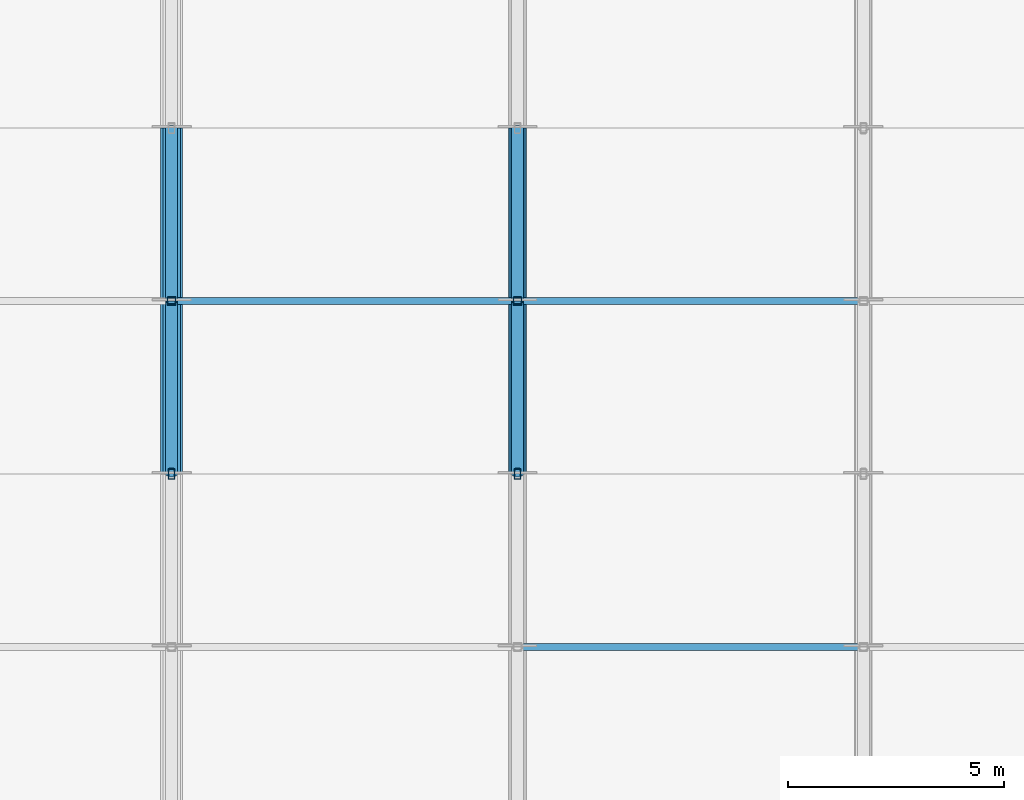
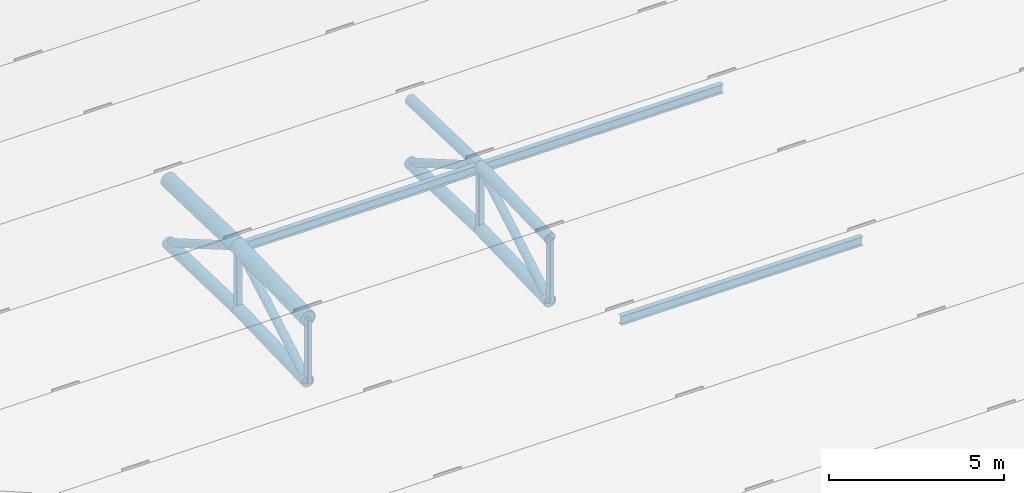
# One storey, part 14 of 98: 19 members.
"""IFC4 building model written with IfcOpenShell, lengths in metres."""

from ifc_helpers import new_model, si_unit, direction, frame, origin, origin_2d, place, context, subcontext, project, spatial, hollow_rectangle, hollow_circle, i_section, extrude, material, material_profile, profile_set, type_object, element, save


model = new_model("IFC4")

# Units and contexts
model_context = context("Model", 3, precision=1e-05, world=origin(), true_north=direction((0.0, 1.0)))
body_context = subcontext(model_context, "Body", "Model", "MODEL_VIEW")
ifc_project = project(units=[si_unit("LENGTHUNIT", "METRE"), si_unit("AREAUNIT", "SQUARE_METRE"), si_unit("VOLUMEUNIT", "CUBIC_METRE"), si_unit("PLANEANGLEUNIT", "RADIAN"), si_unit("MASSUNIT", "GRAM", prefix="KILO")], contexts=[model_context])

# Site, building, storey
site_placement = place(None, origin())
site = spatial("IfcSite", under=ifc_project, at=site_placement, CompositionType="ELEMENT")
building_placement = place(site_placement, origin())
building = spatial("IfcBuilding", under=site, at=building_placement, Name="Tlacozan Convention Centre", CompositionType="ELEMENT")
storey_placement = place(building_placement, frame((0.0, 0.0, 25.800048828125)))
storey = spatial("IfcBuildingStorey", under=building, at=storey_placement, Name="Roof", CompositionType="ELEMENT", Elevation=25.800048828125)

# Members
ifc_material_1 = material(Name="Steel ASTM A500 Grade C", Category="steel")
ifc_material_profile_1 = material_profile(ifc_material_1, hollow_circle(Radius=0.203125, WallThickness=0.015869140625, at=origin_2d()), Name="OC 406.4x15.9")
ifc_profile_set_1 = profile_set([ifc_material_profile_1], Name="Steel ASTM A500 Grade C")
member_type_1 = type_object("IfcMemberType", Name="Arch Bottom Chord OC 406.4x15.9", PredefinedType="CHORD", material=ifc_profile_set_1)
for number, where, z_axis, x_axis, name in (
    (1, (48.0, 90.0, -4.917724609375), (0.0, 0.999567543518, 0.029406222899), (-1.0, 0.0, 0.0), "V2A Roof Truss 7 Bottom Chord 8"),
    (2, (48.0, 94.0, -4.800048828125), (0.0, 0.999567543518, -0.029406222899), (-1.0, 0.0, 0.0), "V2A Roof Truss 7 Bottom Chord 9"),
    (3, (56.0, 90.0, -4.917724609375), (0.0, 0.999567543518, 0.029406222899), (-1.0, 0.0, 0.0), "V2A Roof Truss 8 Bottom Chord 8"),
    (4, (56.0, 94.0, -4.800048828125), (0.0, 0.999567543518, -0.029406222899), (-1.0, 0.0, 0.0), "V2A Roof Truss 8 Bottom Chord 9"),
):
    element("IfcMember", number, at=place(storey_placement, frame(where, z_axis=z_axis, x_axis=x_axis)), inside=storey, type_object=member_type_1, Name=name, PredefinedType="CHORD", context=body_context, shape_type="SweptSolid", body=[
        extrude(hollow_circle(Radius=0.203125, WallThickness=0.015869140625, at=origin_2d()), origin(), (0.0, 0.0, 1.0), 4.001708984375),
    ])
ifc_material_profile_2 = material_profile(ifc_material_1, hollow_circle(Radius=0.25390625, WallThickness=0.01904296875, at=origin_2d()), Name="OC 508.0x19.1")
ifc_profile_set_2 = profile_set([ifc_material_profile_2], Name="Steel ASTM A500 Grade C")
member_type_2 = type_object("IfcMemberType", Name="Arch Top Chord OC 508x19.1", PredefinedType="CHORD", material=ifc_profile_set_2)
for number, where, z_axis, x_axis, name in (
    (5, (48.0, 90.0, -2.7177734375), (0.0, 0.999567543518, 0.029406222899), (-1.0, 0.0, 0.0), "V2A Roof Truss 7 Top Chord 8"),
    (6, (48.0, 94.0, -2.60009765625), (0.0, 0.999567543518, -0.029406222899), (-1.0, 0.0, 0.0), "V2A Roof Truss 7 Top Chord 9"),
):
    element("IfcMember", number, at=place(storey_placement, frame(where, z_axis=z_axis, x_axis=x_axis)), inside=storey, type_object=member_type_2, Name=name, PredefinedType="CHORD", context=body_context, shape_type="SweptSolid", body=[
        extrude(hollow_circle(Radius=0.25390625, WallThickness=0.01904296875, at=origin_2d()), origin(), (0.0, 0.0, 1.0), 4.001708984375),
    ])
ifc_material_profile_3 = material_profile(ifc_material_1, hollow_circle(Radius=0.136474609375, WallThickness=0.0126953125, at=origin_2d()), Name="OC 273.1x12.7")
ifc_profile_set_3 = profile_set([ifc_material_profile_3], Name="Steel ASTM A500 Grade C")
member_type_3 = type_object("IfcMemberType", Name="Arch Web Diagonal OC 273.1x12.7", PredefinedType="BRACE", material=ifc_profile_set_3)
for number, where, z_axis, x_axis, name in (
    (7, (48.0, 90.0, -4.917724609375), (0.0, 0.865253886656, 0.501333932252), (-1.0, 0.0, 0.0), "V2A Roof Truss 7 Web Diagonal 8"),
    (8, (48.0, 94.0, -2.60009765625), (0.0, 0.865253886656, -0.501333932252), (-1.0, 0.0, 0.0), "V2A Roof Truss 7 Web Diagonal 9"),
    (9, (56.0, 90.0, -4.917724609375), (0.0, 0.865253886656, 0.501333932252), (-1.0, 0.0, 0.0), "V2A Roof Truss 8 Web Diagonal 8"),
    (10, (56.0, 94.0, -2.60009765625), (0.0, 0.865253886656, -0.501333932252), (-1.0, 0.0, 0.0), "V2A Roof Truss 8 Web Diagonal 9"),
):
    element("IfcMember", number, at=place(storey_placement, frame(where, z_axis=z_axis, x_axis=x_axis)), inside=storey, type_object=member_type_3, Name=name, PredefinedType="BRACE", context=body_context, shape_type="SweptSolid", body=[
        extrude(hollow_circle(Radius=0.136474609375, WallThickness=0.0126953125, at=origin_2d()), origin(), (0.0, 0.0, 1.0), 4.622802734375),
    ])
ifc_material_profile_4 = material_profile(ifc_material_1, hollow_rectangle(XDim=0.203125, YDim=0.203125, WallThickness=0.0126953125, InnerFilletRadius=0.0126953125, OuterFilletRadius=0.02490234375, at=origin_2d()), Name="OR 203x203x12.7")
ifc_profile_set_4 = profile_set([ifc_material_profile_4], Name="Steel ASTM A500 Grade C")
member_type_4 = type_object("IfcMemberType", Name="Arch Web Strut OR 203x203x12.7", PredefinedType="STRUT", material=ifc_profile_set_4)
for number, where, z_axis, x_axis, name in (
    (11, (48.0, 94.0, -4.800048828125), (0.0, 0.0, 1.0), (1.0, 0.0, 0.0), "V2A Roof Truss 7 Vertical Strut 9"),
    (12, (56.0, 94.0, -4.800048828125), (0.0, 0.0, 1.0), (1.0, 0.0, 0.0), "V2A Roof Truss 8 Vertical Strut 9"),
):
    element("IfcMember", number, at=place(storey_placement, frame(where, z_axis=z_axis, x_axis=x_axis)), inside=storey, type_object=member_type_4, Name=name, PredefinedType="STRUT", context=body_context, shape_type="SweptSolid", body=[
        extrude(hollow_rectangle(XDim=0.203125, YDim=0.203125, WallThickness=0.0126953125, InnerFilletRadius=0.0126953125, OuterFilletRadius=0.02490234375, at=origin_2d()), origin(), (0.0, 0.0, 1.0), 2.199951171875),
    ])
ifc_material_2 = material(Name="Steel ASTM A992 Grade 50", Category="steel")
ifc_material_profile_5 = material_profile(ifc_material_2, i_section(OverallWidth=0.1669921875, OverallDepth=0.31689453125, WebThickness=0.007568359375, FlangeThickness=0.01318359375, FilletRadius=0.010009765625, at=origin_2d()), Name="IR 305x52.2")
ifc_profile_set_5 = profile_set([ifc_material_profile_5], Name="Steel ASTM A992 Grade 50")
member_type_5 = type_object("IfcMemberType", Name="Roof Purlin IR 305x52.2", PredefinedType="PURLIN", material=ifc_profile_set_5)
for number, where, z_axis, x_axis, name in (
    (13, (48.0, 94.0, -2.6650390625), (1.0, 0.0, 0.0), (0.0, 1.0, 0.0), "V2A Roof Truss Purlin 7.9"),
    (14, (56.0, 86.0, -3.13720703125), (1.0, 0.0, 0.0), (0.0, 1.0, 0.0), "V2A Roof Truss Purlin 8.7"),
    (15, (56.0, 94.0, -2.6650390625), (1.0, 0.0, 0.0), (0.0, 1.0, 0.0), "V2A Roof Truss Purlin 8.9"),
):
    element("IfcMember", number, at=place(storey_placement, frame(where, z_axis=z_axis, x_axis=x_axis)), inside=storey, type_object=member_type_5, Name=name, PredefinedType="PURLIN", context=body_context, shape_type="SweptSolid", body=[
        extrude(i_section(OverallWidth=0.1669921875, OverallDepth=0.31689453125, WebThickness=0.007568359375, FlangeThickness=0.01318359375, FilletRadius=0.010009765625, at=origin_2d()), origin(), (0.0, 0.0, 1.0), 8.0),
    ])
ifc_material_profile_6 = material_profile(ifc_material_1, hollow_circle(Radius=0.177734375, WallThickness=0.015869140625, at=origin_2d()), Name="OC 355.6x15.9")
ifc_profile_set_6 = profile_set([ifc_material_profile_6], Name="Steel ASTM A500 Grade C")
member_type_6 = type_object("IfcMemberType", Name="Secondary Arch Chord OC 355.6x15.9", PredefinedType="CHORD", material=ifc_profile_set_6)
for number, where, z_axis, x_axis, name in (
    (16, (56.0, 90.0, -2.7177734375), (0.0, 0.999567543518, 0.029406222899), (-1.0, 0.0, 0.0), "V2A Roof Truss 8 Top Chord 8"),
    (17, (56.0, 94.0, -2.60009765625), (0.0, 0.999567543518, -0.029406222899), (-1.0, 0.0, 0.0), "V2A Roof Truss 8 Top Chord 9"),
):
    element("IfcMember", number, at=place(storey_placement, frame(where, z_axis=z_axis, x_axis=x_axis)), inside=storey, type_object=member_type_6, Name=name, PredefinedType="CHORD", context=body_context, shape_type="SweptSolid", body=[
        extrude(hollow_circle(Radius=0.177734375, WallThickness=0.015869140625, at=origin_2d()), origin(), (0.0, 0.0, 1.0), 4.001708984375),
    ])
ifc_material_profile_7 = material_profile(ifc_material_1, hollow_rectangle(XDim=0.15234375, YDim=0.25390625, WallThickness=0.0126953125, InnerFilletRadius=0.0126953125, OuterFilletRadius=0.02490234375, at=origin_2d()), Name="OR 254x152x12.7")
ifc_profile_set_7 = profile_set([ifc_material_profile_7], Name="Steel ASTM A500 Grade C")
member_type_7 = type_object("IfcMemberType", Name="Truss Secondary Strut OR 254x152x12.7", PredefinedType="STRUT", material=ifc_profile_set_7)
for number, where, z_axis, x_axis, name in (
    (18, (48.0, 90.0, -4.917724609375), (0.0, 0.0, 1.0), (1.0, 0.0, 0.0), "V2A Roof Truss 7 Vertical Strut 8"),
    (19, (56.0, 90.0, -4.917724609375), (0.0, 0.0, 1.0), (1.0, 0.0, 0.0), "V2A Roof Truss 8 Vertical Strut 8"),
):
    element("IfcMember", number, at=place(storey_placement, frame(where, z_axis=z_axis, x_axis=x_axis)), inside=storey, type_object=member_type_7, Name=name, PredefinedType="STRUT", context=body_context, shape_type="SweptSolid", body=[
        extrude(hollow_rectangle(XDim=0.15234375, YDim=0.25390625, WallThickness=0.0126953125, InnerFilletRadius=0.0126953125, OuterFilletRadius=0.02490234375, at=origin_2d()), origin(), (0.0, 0.0, 1.0), 2.199951171875),
    ])

save(model, "model.ifc")
